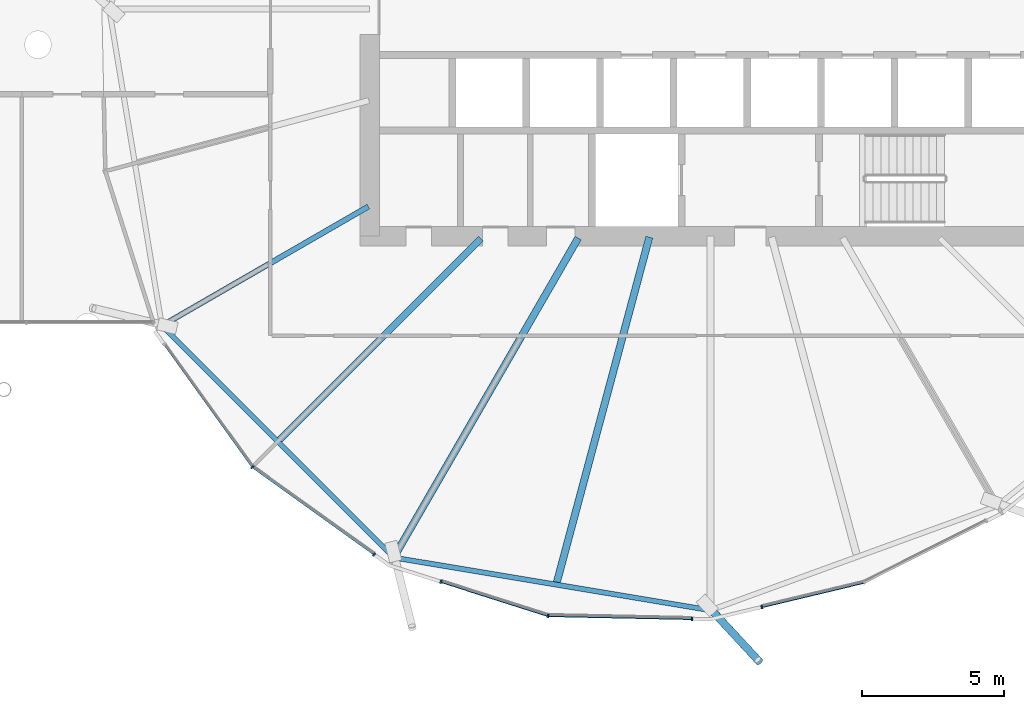
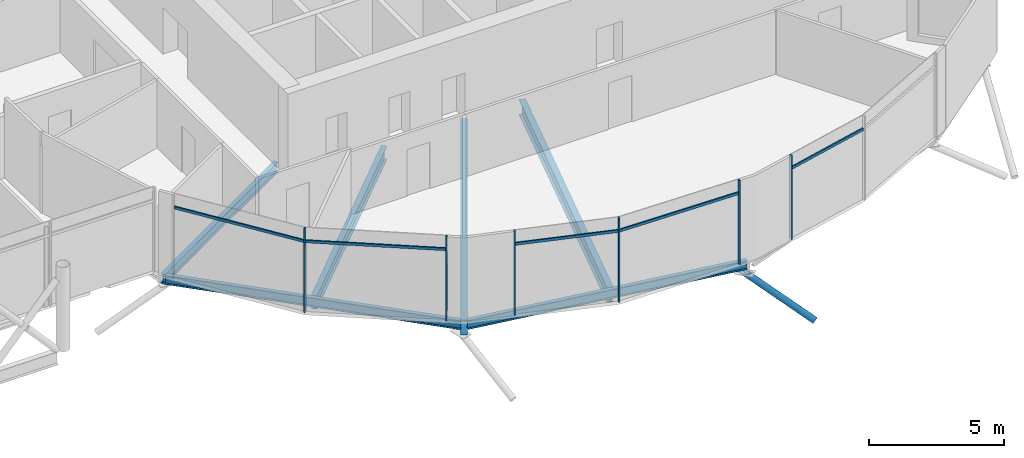
# One storey, part 13 of 39: 12 members, 6 beams, 1 element without a shape of its own.
"""IFC4 building model written with IfcOpenShell, lengths in metres."""

from ifc_helpers import new_model, si_unit, direction, frame, origin, origin_2d, place, context, subcontext, project, spatial, rectangle, hollow_circle, i_section, extrude, clip, halfspace, material, material_profile, profile_set, type_object, element, aggregate, save


model = new_model("IFC4")

# Units and contexts
model_context = context("Model", 3, precision=1e-05, world=origin(), true_north=direction((0.0, 1.0)))
body_context = subcontext(model_context, "Body", "Model", "MODEL_VIEW")
ifc_project = project(units=[si_unit("LENGTHUNIT", "METRE"), si_unit("AREAUNIT", "SQUARE_METRE"), si_unit("VOLUMEUNIT", "CUBIC_METRE"), si_unit("PLANEANGLEUNIT", "RADIAN"), si_unit("MASSUNIT", "GRAM", prefix="KILO")], contexts=[model_context])

# Site, building, storey
site_placement = place(None, origin())
site = spatial("IfcSite", under=ifc_project, at=site_placement, CompositionType="ELEMENT")
building_placement = place(site_placement, origin())
building = spatial("IfcBuilding", under=site, at=building_placement, Name="Rimbun Link Towers", CompositionType="ELEMENT")
storey_placement = place(building_placement, frame((0.0, 0.0, 143.0)))
storey = spatial("IfcBuildingStorey", under=building, at=storey_placement, Name="L34", CompositionType="ELEMENT", Elevation=143.0)

# Curtain wall, members
ifc_material_1 = material(Name="Aluminium 6063-T6 and low-iron glass", Category="aluminium")
curtain_wall_type = type_object("IfcCurtainWallType", Name="CW4 link block wall", PredefinedType="NOTDEFINED", material=ifc_material_1)
curtain_wall_placement = place(storey_placement, origin())
curtain_wall = element("IfcCurtainWall", 1, at=curtain_wall_placement, inside=storey, type_object=curtain_wall_type, Name="CW4 L34 T2", PredefinedType="NOTDEFINED")
ifc_material_2 = material(Name="Aluminium 6063-T6", Category="aluminium")
ifc_material_profile_1 = material_profile(ifc_material_2, rectangle(XDim=0.1201171875, YDim=0.06005859375, at=origin_2d()), Name="MULLION 60X120")
ifc_profile_set_1 = profile_set([ifc_material_profile_1], Name="Aluminium 6063-T6")
member_type_1 = type_object("IfcMemberType", Name="CW4 mullion 60X120", PredefinedType="MULLION", material=ifc_profile_set_1)
member_1_placement = place(storey_placement, frame((15.618408203125, -16.131591796875, 0.0), z_axis=(0.0, 0.0, 1.0), x_axis=(-0.707106781187, -0.707106781187, 0.0)))
member_1 = element("IfcMember", 2, at=member_1_placement, type_object=member_type_1, Name="CW4 mullion", PredefinedType="MULLION", context=body_context, shape_type="SweptSolid", body=[
    extrude(rectangle(XDim=0.1201171875, YDim=0.06005859375, at=origin_2d()), origin(), (0.0, 0.0, 1.0), 3.800048828125),
])
member_2_placement = place(storey_placement, frame((19.906005859375, -19.208984375, 0.0), z_axis=(0.0, 0.0, 1.0), x_axis=(-0.58300948996, -0.81246534364, 0.0)))
member_2 = element("IfcMember", 3, at=member_2_placement, type_object=member_type_1, Name="CW4 mullion", PredefinedType="MULLION", context=body_context, shape_type="SweptSolid", body=[
    extrude(rectangle(XDim=0.1201171875, YDim=0.06005859375, at=origin_2d()), origin(), (0.0, 0.0, 1.0), 3.800048828125),
])
member_3_placement = place(storey_placement, frame((26.030029296875, -21.3701171875, 0.0), z_axis=(0.0, 0.0, 1.0), x_axis=(-0.163742365799, -0.986503136154, 0.0)))
member_3 = element("IfcMember", 4, at=member_3_placement, type_object=member_type_1, Name="CW4 mullion", PredefinedType="MULLION", context=body_context, shape_type="SweptSolid", body=[
    extrude(rectangle(XDim=0.1201171875, YDim=0.06005859375, at=origin_2d()), origin(), (0.0, 0.0, 1.0), 3.800048828125),
])
member_4_placement = place(storey_placement, frame((22.261474609375, -20.17236328125, 0.0), z_axis=(0.0, 0.0, 1.0), x_axis=(-0.303059612182, -0.952971600555, 0.0)))
member_4 = element("IfcMember", 5, at=member_4_placement, type_object=member_type_1, Name="CW4 mullion", PredefinedType="MULLION", context=body_context, shape_type="SweptSolid", body=[
    extrude(rectangle(XDim=0.1201171875, YDim=0.06005859375, at=origin_2d()), origin(), (0.0, 0.0, 1.0), 3.800048828125),
])
member_5_placement = place(storey_placement, frame((31.098876953125, -21.4775390625, 0.0), z_axis=(0.0, 0.0, 1.0), x_axis=(-0.021062889527, -0.999778152734, 0.0)))
member_5 = element("IfcMember", 6, at=member_5_placement, type_object=member_type_1, Name="CW4 mullion", PredefinedType="MULLION", context=body_context, shape_type="SweptSolid", body=[
    extrude(rectangle(XDim=0.1201171875, YDim=0.06005859375, at=origin_2d()), origin(), (0.0, 0.0, 1.0), 3.800048828125),
])
member_6_placement = place(storey_placement, frame((33.563232421875, -21.059326171875, 0.0), z_axis=(0.0, 0.0, 1.0), x_axis=(0.232587665973, -0.972575435448, 0.0)))
member_6 = element("IfcMember", 7, at=member_6_placement, type_object=member_type_1, Name="CW4 mullion", PredefinedType="MULLION", context=body_context, shape_type="SweptSolid", body=[
    extrude(rectangle(XDim=0.1201171875, YDim=0.06005859375, at=origin_2d()), origin(), (0.0, 0.0, 1.0), 3.800048828125),
])
ifc_material_3 = material(Name="Aluminium 6063-T6", Category="aluminium")
ifc_material_profile_2 = material_profile(ifc_material_3, rectangle(XDim=0.06005859375, YDim=0.1201171875, at=origin_2d()), Name="TRANSOM 60X120")
ifc_profile_set_2 = profile_set([ifc_material_profile_2], Name="Aluminium 6063-T6")
member_type_2 = type_object("IfcMemberType", Name="CW4 transom 60X120", PredefinedType="USERDEFINED", material=ifc_profile_set_2)
member_7_placement = place(storey_placement, frame((15.59619140625, -16.0986328125, 3.199951171875), z_axis=(-0.583002503332, 0.812470357065, 0.0), x_axis=(-0.812470357065, -0.583002503332, 0.0)))
member_7 = element("IfcMember", 8, at=member_7_placement, type_object=member_type_2, Name="CW4 transom", ObjectType="TRANSOM", PredefinedType="USERDEFINED", context=body_context, shape_type="SweptSolid", body=[
    extrude(rectangle(XDim=0.06005859375, YDim=0.1201171875, at=origin_2d()), origin(), (0.0, 0.0, 1.0), 5.258056640625),
])
member_8_placement = place(storey_placement, frame((19.8828125, -19.18994140625, 3.199951171875), z_axis=(-0.812489980296, 0.58297515549, 0.0), x_axis=(-0.58297515549, -0.812489980296, 0.0)))
member_8 = element("IfcMember", 9, at=member_8_placement, type_object=member_type_2, Name="CW4 transom", ObjectType="TRANSOM", PredefinedType="USERDEFINED", context=body_context, shape_type="SweptSolid", body=[
    extrude(rectangle(XDim=0.06005859375, YDim=0.1201171875, at=origin_2d()), origin(), (0.0, 0.0, 1.0), 5.2080078125),
])
member_9_placement = place(storey_placement, frame((25.99365234375, -21.357177734375, 3.199951171875), z_axis=(-0.952959606223, 0.303097325801, 0.0), x_axis=(-0.303097325801, -0.952959606223, 0.0)))
member_9 = element("IfcMember", 10, at=member_9_placement, type_object=member_type_2, Name="CW4 transom", ObjectType="TRANSOM", PredefinedType="USERDEFINED", context=body_context, shape_type="SweptSolid", body=[
    extrude(rectangle(XDim=0.06005859375, YDim=0.1201171875, at=origin_2d()), origin(), (0.0, 0.0, 1.0), 3.8857421875),
])
member_10_placement = place(storey_placement, frame((31.06884765625, -21.474853515625, 3.199951171875), z_axis=(-0.99977865077, 0.021039236291, 0.0), x_axis=(-0.021039236291, -0.99977865077, 0.0)))
member_10 = element("IfcMember", 11, at=member_10_placement, type_object=member_type_2, Name="CW4 transom", ObjectType="TRANSOM", PredefinedType="USERDEFINED", context=body_context, shape_type="SweptSolid", body=[
    extrude(rectangle(XDim=0.06005859375, YDim=0.1201171875, at=origin_2d()), origin(), (0.0, 0.0, 1.0), 5.00146484375),
])
member_11_placement = place(storey_placement, frame((37.131103515625, -20.2041015625, 3.199951171875), z_axis=(-0.972585489627, -0.232545619967, 0.0), x_axis=(0.232545619967, -0.972585489627, 0.0)))
member_11 = element("IfcMember", 12, at=member_11_placement, type_object=member_type_2, Name="CW4 transom", ObjectType="TRANSOM", PredefinedType="USERDEFINED", context=body_context, shape_type="SweptSolid", body=[
    extrude(rectangle(XDim=0.06005859375, YDim=0.1201171875, at=origin_2d()), origin(), (0.0, 0.0, 1.0), 3.638916015625),
])
aggregate(curtain_wall, [member_1, member_2, member_3, member_4, member_5, member_6, member_7, member_8, member_9, member_10, member_11])

# Member
ifc_material_4 = material(Name="Steel S355J2H", Category="steel")
ifc_material_profile_3 = material_profile(ifc_material_4, hollow_circle(Radius=0.136474609375, WallThickness=0.012451171875, at=origin_2d()), Name="CHS 273x12.5")
ifc_profile_set_3 = profile_set([ifc_material_profile_3], Name="Steel S355J2H")
member_type_3 = type_object("IfcMemberType", Name="Floor edge link CHS 273x12.5", PredefinedType="BRACE", material=ifc_profile_set_3)
member_12_placement = place(storey_placement, frame((31.75, -21.124267578125, -0.98095703125), z_axis=(0.585517339226, -0.631677084251, -0.508088089506), x_axis=(0.733395258638, 0.679802467344, 0.0)))
element("IfcMember", 13, at=member_12_placement, inside=storey, type_object=member_type_3, Name="Floor edge link T2 L34 15", PredefinedType="BRACE", context=body_context, shape_type="Clipping", body=[
    clip(extrude(hollow_circle(Radius=0.136474609375, WallThickness=0.012451171875, at=origin_2d()), frame((0.0, 0.0, -0.482421875)), (0.0, 0.0, 1.0), 3.433837890625), halfspace(frame((0.0, 0.0, -0.227294921875), z_axis=(0.0, 0.861305110458, -0.508088089506)), False)),
])

# Beams
ifc_material_5 = material(Name="Steel S355J2", Category="steel")
ifc_material_profile_4 = material_profile(ifc_material_5, i_section(OverallWidth=0.177978515625, OverallDepth=0.406494140625, WebThickness=0.0078125, FlangeThickness=0.0126953125, at=origin_2d()), Name="UB 406x178x60")
ifc_profile_set_4 = profile_set([ifc_material_profile_4], Name="Steel S355J2")
beam_type_1 = type_object("IfcBeamType", Name="UB 406x178x60", PredefinedType="BEAM", material=ifc_profile_set_4)
beam_1_placement = place(storey_placement, frame((12.502685546875, -11.223388671875, -0.38330078125), z_axis=(0.707106781187, -0.707106781187, 0.0), x_axis=(0.707106781187, 0.707106781187, 0.0)))
element("IfcBeam", 14, at=beam_1_placement, inside=storey, type_object=beam_type_1, Name="Edge beam T2 L34 11-13", PredefinedType="BEAM", context=body_context, shape_type="SweptSolid", body=[
    extrude(i_section(OverallWidth=0.177978515625, OverallDepth=0.406494140625, WebThickness=0.0078125, FlangeThickness=0.0126953125, at=origin_2d()), origin(), (0.0, 0.0, 1.0), 11.314697265625),
])
beam_2_placement = place(storey_placement, frame((20.731689453125, -19.340087890625, -0.38330078125), z_axis=(0.986428565944, -0.16419099942, 0.0), x_axis=(0.16419099942, 0.986428565944, 0.0)))
element("IfcBeam", 15, at=beam_2_placement, inside=storey, type_object=beam_type_1, Name="Edge beam T2 L34 13-15", PredefinedType="BEAM", context=body_context, shape_type="SweptSolid", body=[
    extrude(i_section(OverallWidth=0.177978515625, OverallDepth=0.406494140625, WebThickness=0.0078125, FlangeThickness=0.0126953125, at=origin_2d()), origin(), (0.0, 0.0, 1.0), 11.04052734375),
])
ifc_material_6 = material(Name="Steel S355J2", Category="steel")
ifc_material_profile_5 = material_profile(ifc_material_6, i_section(OverallWidth=0.18994140625, OverallDepth=0.453369140625, WebThickness=0.008544921875, FlangeThickness=0.0126953125, at=origin_2d()), Name="UB 457x191x67")
ifc_profile_set_5 = profile_set([ifc_material_profile_5], Name="Steel S355J2")
beam_type_2 = type_object("IfcBeamType", Name="UB 457x191x67", PredefinedType="BEAM", material=ifc_profile_set_5)
beam_3_placement = place(storey_placement, frame((19.70166015625, -6.9560546875, -0.40673828125), z_axis=(-0.866020419704, -0.500008632582, 0.0), x_axis=(0.500008632582, -0.866020419704, 0.0)))
element("IfcBeam", 16, at=beam_3_placement, inside=storey, type_object=beam_type_2, Name="Radial beam T2 L34 11", PredefinedType="BEAM", context=body_context, shape_type="SweptSolid", body=[
    extrude(i_section(OverallWidth=0.18994140625, OverallDepth=0.453369140625, WebThickness=0.008544921875, FlangeThickness=0.0126953125, at=origin_2d()), origin(), (0.0, 0.0, 1.0), 8.393798828125),
])
ifc_material_7 = material(Name="Steel S355J2", Category="steel")
ifc_material_profile_6 = material_profile(ifc_material_7, i_section(OverallWidth=0.2275390625, OverallDepth=0.6025390625, WebThickness=0.010498046875, FlangeThickness=0.014892578125, at=origin_2d()), Name="UB 610x229x101")
ifc_profile_set_6 = profile_set([ifc_material_profile_6], Name="Steel S355J2")
beam_type_3 = type_object("IfcBeamType", Name="UB 610x229x101", PredefinedType="BEAM", material=ifc_profile_set_6)
beam_4_placement = place(storey_placement, frame((23.668701171875, -8.081298828125, -0.481201171875), z_axis=(-0.707106781187, -0.707106781187, 0.0), x_axis=(0.707106781187, -0.707106781187, 0.0)))
element("IfcBeam", 17, at=beam_4_placement, inside=storey, type_object=beam_type_3, Name="Radial beam T2 L34 12", PredefinedType="BEAM", context=body_context, shape_type="SweptSolid", body=[
    extrude(i_section(OverallWidth=0.2275390625, OverallDepth=0.6025390625, WebThickness=0.010498046875, FlangeThickness=0.014892578125, at=origin_2d()), origin(), (0.0, 0.0, 1.0), 10.02734375),
])
ifc_material_8 = material(Name="Steel S355J2", Category="steel")
ifc_material_profile_7 = material_profile(ifc_material_8, i_section(OverallWidth=0.253662109375, OverallDepth=0.68359375, WebThickness=0.012451171875, FlangeThickness=0.01904296875, at=origin_2d()), Name="UB 686x254x140")
ifc_profile_set_7 = profile_set([ifc_material_profile_7], Name="Steel S355J2")
beam_type_4 = type_object("IfcBeamType", Name="UB 686x254x140", PredefinedType="BEAM", material=ifc_profile_set_7)
beam_5_placement = place(storey_placement, frame((27.093994140625, -8.064208984375, -0.521728515625), z_axis=(-0.499994598707, -0.8660285222, 0.0), x_axis=(0.8660285222, -0.499994598707, 0.0)))
element("IfcBeam", 18, at=beam_5_placement, inside=storey, type_object=beam_type_4, Name="Radial beam T2 L34 13", PredefinedType="BEAM", context=body_context, shape_type="SweptSolid", body=[
    extrude(i_section(OverallWidth=0.253662109375, OverallDepth=0.68359375, WebThickness=0.012451171875, FlangeThickness=0.01904296875, at=origin_2d()), origin(), (0.0, 0.0, 1.0), 12.994384765625),
])
beam_6_placement = place(storey_placement, frame((29.597412109375, -8.03369140625, -0.521728515625), z_axis=(-0.258819848058, -0.965925611137, 0.0), x_axis=(0.965925611137, -0.258819848058, 0.0)))
element("IfcBeam", 19, at=beam_6_placement, inside=storey, type_object=beam_type_4, Name="Radial beam T2 L34 14", PredefinedType="BEAM", context=body_context, shape_type="SweptSolid", body=[
    extrude(i_section(OverallWidth=0.253662109375, OverallDepth=0.68359375, WebThickness=0.012451171875, FlangeThickness=0.01904296875, at=origin_2d()), origin(), (0.0, 0.0, 1.0), 12.57763671875),
])

save(model, "model.ifc")
